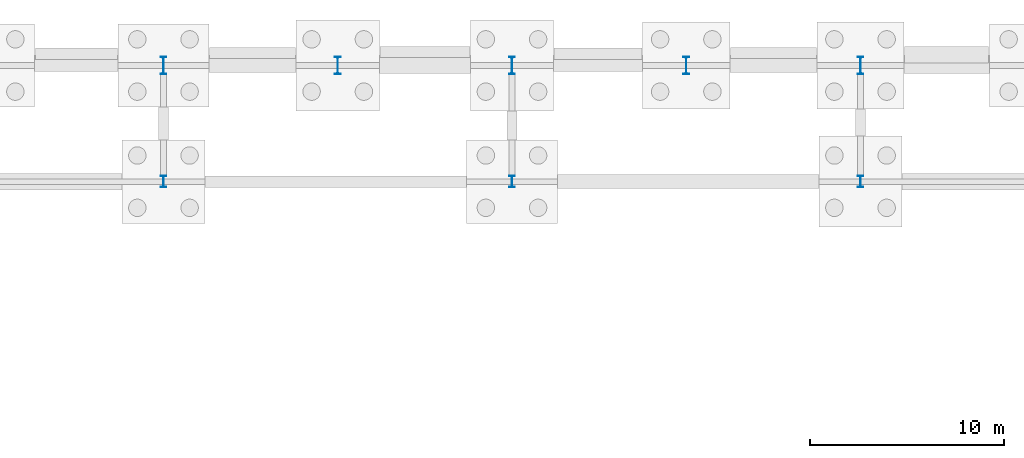
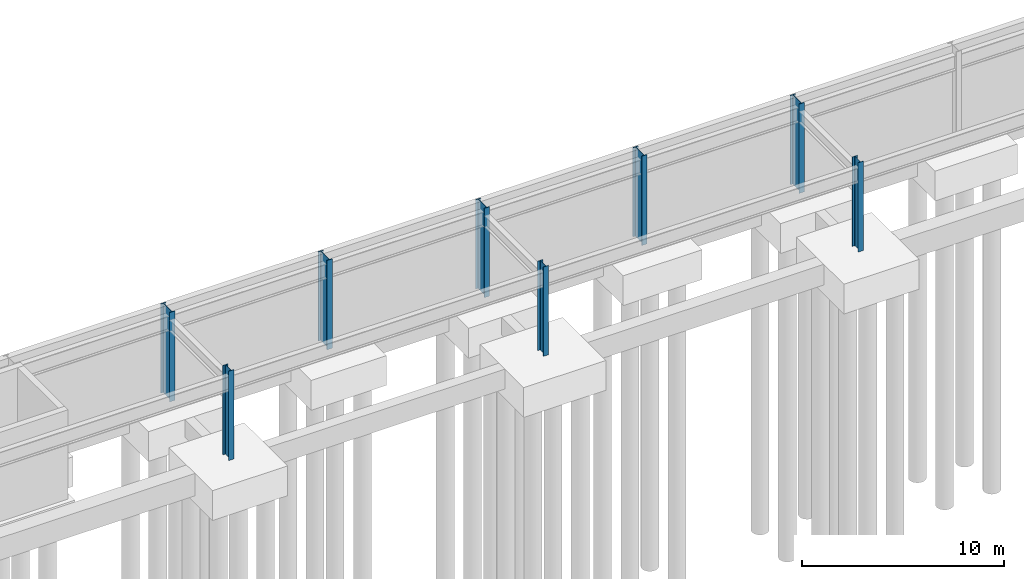
# One storey, part 22 of 65: 8 columns.
"""IFC4 building model written with IfcOpenShell, lengths in metres."""

import ifcopenshell
import ifcopenshell.guid

model = None  # the IFC model being written
_history = None  # IfcOwnerHistory: only IFC2X3 demands one
_inside = {}  # id of a spatial element -> (the spatial element, [elements in it])
_under = {}  # id of a project, library or spatial element -> (it, [spatial elements below it])
_declared = {}  # id of a project -> (the project, [libraries it declares])
_typed = {}  # id of a type object -> (the type object, [elements of that type])
_made_of = {}  # id of a material, layer set ... -> (it, [elements and type objects made of it])


def new_model(schema):
    """Start an empty IFC model of exactly this schema.

    Asked for "IFC4X3", IfcOpenShell would pick the latest addendum, in which some entities
    have other attributes; the version numbers below select the first issue.
    IFC2X3 requires an IfcOwnerHistory on every rooted entity: one is made here for all.
    """
    global model, _history
    if schema == "IFC4X3":
        model = ifcopenshell.file(schema_version=(4, 3, 0, 0))
    else:
        model = ifcopenshell.file(schema=schema)
    _inside.clear()
    _under.clear()
    _declared.clear()
    _typed.clear()
    _made_of.clear()
    _history = None
    if model.schema == "IFC2X3":
        org = make("IfcOrganization", Name="unknown")
        user = make(
            "IfcPersonAndOrganization",
            ThePerson=make("IfcPerson", FamilyName="unknown"),
            TheOrganization=org,
        )
        app = make(
            "IfcApplication",
            ApplicationDeveloper=org,
            Version="unknown",
            ApplicationFullName="unknown",
            ApplicationIdentifier="unknown",
        )
        _history = make(
            "IfcOwnerHistory",
            OwningUser=user,
            OwningApplication=app,
            ChangeAction="ADDED",
            CreationDate=0,
        )
    return model


def make(cls, **values):
    """One entity of the class cls with the attributes given. An attribute that is None is left unset."""
    return model.create_entity(
        cls, **{name: value for name, value in values.items() if value is not None}
    )


def rooted(cls, **values):
    """An entity with a GlobalId (a new one), such as an element, a storey or a relation."""
    return make(cls, GlobalId=ifcopenshell.guid.new(), OwnerHistory=_history, **values)


def si_unit(unit_type, name, prefix=None):
    """IfcSIUnit, for example si_unit("LENGTHUNIT", "METRE", prefix="MILLI")."""
    return make("IfcSIUnit", UnitType=unit_type, Prefix=prefix, Name=name)


def assignment(units):
    """IfcUnitAssignment: the units of a project."""
    return None if units is None else make("IfcUnitAssignment", Units=units)


def point(xyz):
    """IfcCartesianPoint."""
    return None if xyz is None else make("IfcCartesianPoint", Coordinates=xyz)


def direction(xyz):
    """IfcDirection."""
    return None if xyz is None else make("IfcDirection", DirectionRatios=xyz)


def frame(location, z_axis=None, x_axis=None):
    """IfcAxis2Placement3D, a coordinate frame: its origin and axes. An axis left out is left unset."""
    return make(
        "IfcAxis2Placement3D",
        Location=point(location),
        Axis=direction(z_axis),
        RefDirection=direction(x_axis),
    )


def frame_2d(location, x_axis=None):
    """IfcAxis2Placement2D, a coordinate frame in the plane: its origin and x axis."""
    return make(
        "IfcAxis2Placement2D", Location=point(location), RefDirection=direction(x_axis)
    )


def origin():
    """The frame at (0, 0, 0) with its axes left unset."""
    return frame((0.0, 0.0, 0.0))


def origin_2d():
    """The frame at (0, 0) in the plane with its x axis left unset."""
    return frame_2d((0.0, 0.0))


def place(relative_to, where):
    """IfcLocalPlacement: puts the frame where relative to a parent placement (None: the world)."""
    return make(
        "IfcLocalPlacement", PlacementRelTo=relative_to, RelativePlacement=where
    )


def context(
    kind, dimensions, precision=None, world=None, true_north=None, identifier=None
):
    """IfcGeometricRepresentationContext, for example the 3D "Model" context."""
    return make(
        "IfcGeometricRepresentationContext",
        ContextIdentifier=identifier,
        ContextType=kind,
        CoordinateSpaceDimension=dimensions,
        Precision=precision,
        WorldCoordinateSystem=world,
        TrueNorth=true_north,
    )


def subcontext(parent, identifier, kind, view, scale=None):
    """IfcGeometricRepresentationSubContext, for example "Body" below "Model"."""
    return make(
        "IfcGeometricRepresentationSubContext",
        ContextIdentifier=identifier,
        ContextType=kind,
        ParentContext=parent,
        TargetScale=scale,
        TargetView=view,
    )


def project(units=None, contexts=None):
    """IfcProject with its units and contexts."""
    return rooted(
        "IfcProject",
        Name="project",
        RepresentationContexts=contexts,
        UnitsInContext=assignment(units),
    )


def spatial(cls, under=None, at=None, **own):
    """A site, building, storey or space (cls), placed at a placement, below another one or the project."""
    s = rooted(cls, ObjectPlacement=at, **own)
    if under is not None:
        _under.setdefault(under.id(), (under, []))[1].append(s)
    return s


def profile(cls, at=None, kind="AREA", **sizes):
    """A parametric profile (cls). Its sizes go by their IFC names, for example OverallWidth=200.0."""
    return make(cls, ProfileType=kind, Position=at, **sizes)


def i_section(**sizes):
    """IfcIShapeProfileDef."""
    return profile("IfcIShapeProfileDef", **sizes)


def extrude(swept, where, along, depth):
    """IfcExtrudedAreaSolid: the profile swept, set in the frame where, extruded along a direction by depth."""
    return make(
        "IfcExtrudedAreaSolid",
        SweptArea=swept,
        Position=where,
        ExtrudedDirection=direction(along),
        Depth=depth,
    )


def shape(context_of_items, identifier, shape_type, items):
    """IfcShapeRepresentation: the items that make up one representation, for example the "Body"."""
    return make(
        "IfcShapeRepresentation",
        ContextOfItems=context_of_items,
        RepresentationIdentifier=identifier,
        RepresentationType=shape_type,
        Items=items,
    )


def material(Name=None, Category=None):
    """IfcMaterial."""
    return make("IfcMaterial", Name=Name, Category=Category)


def material_profile(
    of_material, cross_section, Name=None, Category=None, Priority=None
):
    """IfcMaterialProfile: a cross section and its material."""
    return make(
        "IfcMaterialProfile",
        Name=Name,
        Material=of_material,
        Profile=cross_section,
        Priority=Priority,
        Category=Category,
    )


def profile_set(profiles, Name=None, composite=None):
    """IfcMaterialProfileSet."""
    return make(
        "IfcMaterialProfileSet",
        Name=Name,
        MaterialProfiles=profiles,
        CompositeProfile=composite,
    )


def made_of(thing, what):
    """Note that an element or type object is made of a material, layer set ...; save() writes the relation."""
    if what is not None:
        _made_of.setdefault(what.id(), (what, []))[1].append(thing)
    return thing


def type_object(cls, material=None, **own):
    """A type object (cls), such as IfcWallType, which elements share."""
    return made_of(rooted(cls, **own), material)


def element(
    cls,
    number,
    at=None,
    inside=None,
    cuts=None,
    type_object=None,
    material=None,
    context=None,
    identifier="Body",
    shape_type=None,
    held_by="IfcProductDefinitionShape",
    body=None,
    shapes=None,
    **own,
):
    """One element of the class cls, such as IfcWall. Its Tag is "e" and its number.

    at: its placement. inside: the storey or other place that contains it. cuts: it is an
    opening in that element (IfcRelVoidsElement). A single representation is given by context,
    identifier, shape_type and body (its items); several are given by shapes. held_by: the class
    of the entity that holds the representations. save() writes the other relations.
    """
    e = rooted(cls, Tag="e%d" % number, ObjectPlacement=at, **own)
    if body is not None:
        shapes = [shape(context, identifier, shape_type, body)]
    if shapes is not None:
        e.Representation = make(held_by, Representations=shapes)
    if inside is not None:
        _inside.setdefault(inside.id(), (inside, []))[1].append(e)
    if cuts is not None:
        rooted(
            "IfcRelVoidsElement", RelatingBuildingElement=cuts, RelatedOpeningElement=e
        )
    if type_object is not None:
        _typed.setdefault(type_object.id(), (type_object, []))[1].append(e)
    return made_of(e, material)


def aggregate(whole, parts):
    """IfcRelAggregates: a whole, such as a stair, and the parts it consists of."""
    return rooted("IfcRelAggregates", RelatingObject=whole, RelatedObjects=parts)


def save(model, path):
    """Write the relations noted so far, then the file.

    IfcRelAggregates (storeys below a building ...), IfcRelContainedInSpatialStructure (elements
    in a storey), IfcRelDefinesByType, IfcRelAssociatesMaterial and IfcRelDeclares: one each for
    every whole, place, type object, material and project.
    """
    for whole, parts in _under.values():
        aggregate(whole, parts)
    for where, things in _inside.values():
        rooted(
            "IfcRelContainedInSpatialStructure",
            RelatedElements=things,
            RelatingStructure=where,
        )
    for kind, things in _typed.values():
        rooted("IfcRelDefinesByType", RelatedObjects=things, RelatingType=kind)
    for what, things in _made_of.values():
        rooted("IfcRelAssociatesMaterial", RelatedObjects=things, RelatingMaterial=what)
    for by, libraries in _declared.values():
        rooted("IfcRelDeclares", RelatingContext=by, RelatedDefinitions=libraries)
    model.write(path)


model = new_model("IFC4")

# Units and contexts
model_context = context("Model", 3, precision=1e-05, world=origin(), true_north=direction((0.0, 1.0)))
body_context = subcontext(model_context, "Body", "Model", "MODEL_VIEW")
ifc_project = project(units=[si_unit("LENGTHUNIT", "METRE"), si_unit("AREAUNIT", "SQUARE_METRE"), si_unit("VOLUMEUNIT", "CUBIC_METRE"), si_unit("PLANEANGLEUNIT", "RADIAN"), si_unit("MASSUNIT", "GRAM", prefix="KILO")], contexts=[model_context])

# Site, building, storey
site_placement = place(None, origin())
site = spatial("IfcSite", under=ifc_project, at=site_placement, CompositionType="ELEMENT")
building_placement = place(site_placement, origin())
building = spatial("IfcBuilding", under=site, at=building_placement, Name="Kaldris Quays Convention Centre", CompositionType="ELEMENT")
storey_placement = place(building_placement, frame((0.0, 0.0, -5.39990234375)))
storey = spatial("IfcBuildingStorey", under=building, at=storey_placement, Name="B1", CompositionType="ELEMENT", Elevation=-5.39990234375)

# Columns
ifc_material = material(Name="Steel S355J2", Category="steel")
ifc_material_profile_1 = material_profile(ifc_material, i_section(OverallWidth=0.300048828125, OverallDepth=0.89990234375, WebThickness=0.0185546875, FlangeThickness=0.034912109375, FilletRadius=0.030029296875, at=origin_2d()), Name="HEB 900")
ifc_profile_set_1 = profile_set([ifc_material_profile_1], Name="Steel S355J2")
column_type_1 = type_object("IfcColumnType", Name="STRUCTURAL COLUMN CL03", PredefinedType="COLUMN", material=ifc_profile_set_1)
for number, where, z_axis, x_axis, name in (
    (1, (38.0, 140.0, 0.0), (0.0, 0.0, 1.0), (1.0, 0.0, 0.0), "B1 V1 Column CL03 (38.00, 140.00)"),
    (2, (47.0, 140.0, 0.0), (0.0, 0.0, 1.0), (1.0, 0.0, 0.0), "B1 V1 Column CL03 (47.00, 140.00)"),
    (3, (56.0, 140.0, 0.0), (0.0, 0.0, 1.0), (1.0, 0.0, 0.0), "B1 V1 Column CL03 (56.00, 140.00)"),
    (4, (65.0, 140.0, 0.0), (0.0, 0.0, 1.0), (1.0, 0.0, 0.0), "B1 V1 Column CL03 (65.00, 140.00)"),
    (5, (74.0, 140.0, 0.0), (0.0, 0.0, 1.0), (1.0, 0.0, 0.0), "B1 V1 Column CL03 (74.00, 140.00)"),
):
    element("IfcColumn", number, at=place(storey_placement, frame(where, z_axis=z_axis, x_axis=x_axis)), inside=storey, type_object=column_type_1, Name=name, PredefinedType="COLUMN", context=body_context, shape_type="SweptSolid", body=[
        extrude(i_section(OverallWidth=0.300048828125, OverallDepth=0.89990234375, WebThickness=0.0185546875, FlangeThickness=0.034912109375, FilletRadius=0.030029296875, at=origin_2d()), origin(), (0.0, 0.0, 1.0), 5.39990234375),
    ])
ifc_material_profile_2 = material_profile(ifc_material, i_section(OverallWidth=0.300048828125, OverallDepth=0.60009765625, WebThickness=0.015380859375, FlangeThickness=0.030029296875, FilletRadius=0.027099609375, at=origin_2d()), Name="HEB 600")
ifc_profile_set_2 = profile_set([ifc_material_profile_2], Name="Steel S355J2")
column_type_2 = type_object("IfcColumnType", Name="STRUCTURAL COLUMN CL06", PredefinedType="COLUMN", material=ifc_profile_set_2)
for number, where, z_axis, x_axis, name in (
    (6, (38.0, 134.0, 0.0), (0.0, 0.0, 1.0), (1.0, 0.0, 0.0), "B1 V1 Column CL06 (38.00, 134.00)"),
    (7, (56.0, 134.0, 0.0), (0.0, 0.0, 1.0), (1.0, 0.0, 0.0), "B1 V1 Column CL06 (56.00, 134.00)"),
    (8, (74.0, 134.0, 0.0), (0.0, 0.0, 1.0), (1.0, 0.0, 0.0), "B1 V1 Column CL06 (74.00, 134.00)"),
):
    element("IfcColumn", number, at=place(storey_placement, frame(where, z_axis=z_axis, x_axis=x_axis)), inside=storey, type_object=column_type_2, Name=name, PredefinedType="COLUMN", context=body_context, shape_type="SweptSolid", body=[
        extrude(i_section(OverallWidth=0.300048828125, OverallDepth=0.60009765625, WebThickness=0.015380859375, FlangeThickness=0.030029296875, FilletRadius=0.027099609375, at=origin_2d()), origin(), (0.0, 0.0, 1.0), 5.39990234375),
    ])

save(model, "model.ifc")
